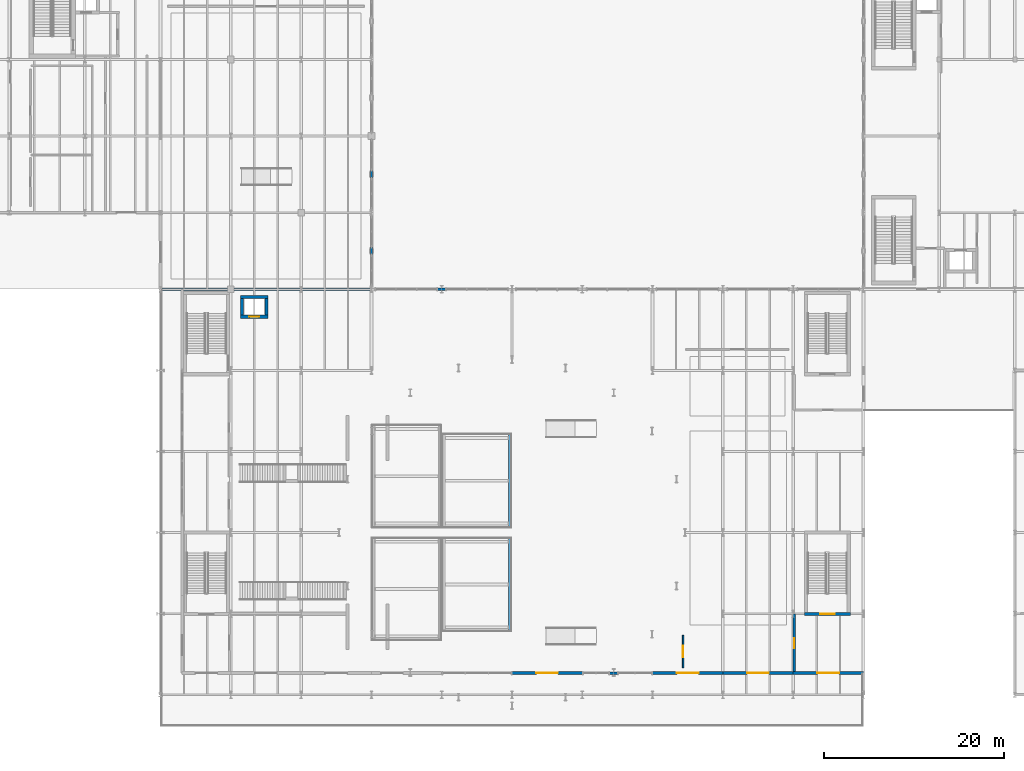
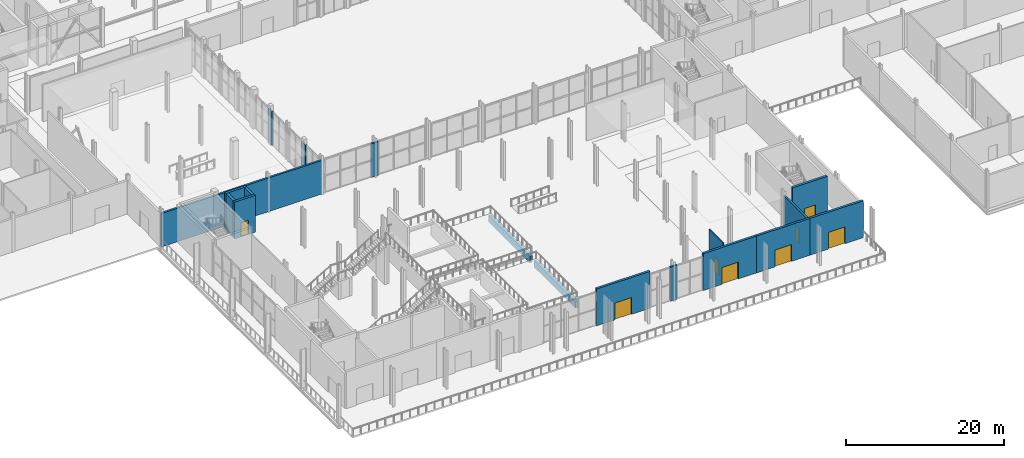
# One storey, part 56 of 84: 18 walls, 8 doors, 8 openings.
"""IFC4 building model written with IfcOpenShell, lengths in metres."""

from ifc_helpers import new_model, si_unit, direction, frame, frame_2d, origin, place, context, subcontext, project, spatial, rectangle, extrude, material, layer, layer_set, type_object, element, fill, save


model = new_model("IFC4")

# Units and contexts
model_context = context("Model", 3, precision=1e-05, world=origin(), true_north=direction((0.0, 1.0)))
body_context = subcontext(model_context, "Body", "Model", "MODEL_VIEW")
ifc_project = project(units=[si_unit("LENGTHUNIT", "METRE"), si_unit("AREAUNIT", "SQUARE_METRE"), si_unit("VOLUMEUNIT", "CUBIC_METRE"), si_unit("PLANEANGLEUNIT", "RADIAN"), si_unit("MASSUNIT", "GRAM", prefix="KILO")], contexts=[model_context])

# Site, building, storey
site_placement = place(None, origin())
site = spatial("IfcSite", under=ifc_project, at=site_placement, CompositionType="ELEMENT")
building_placement = place(site_placement, origin())
building = spatial("IfcBuilding", under=site, at=building_placement, Name="Sefraquen Railside Congress Hotel", CompositionType="ELEMENT")
storey_placement = place(building_placement, origin())
storey = spatial("IfcBuildingStorey", under=building, at=storey_placement, Name="L00", CompositionType="ELEMENT", Elevation=0.0)

# Wall, opening, door
ifc_material_1 = material(Name="Concrete C50/60", Category="concrete")
ifc_layer_1 = layer(ifc_material_1, 0.35009765625)
ifc_layer_set_1 = layer_set([ifc_layer_1], Name="Concrete C50/60")
wall_type_1 = type_object("IfcWallType", Name="TW-CW-350", PredefinedType="SHEAR", material=ifc_layer_set_1)
wall_1_placement = place(storey_placement, frame((96.64990234375, 17.985107421875, 0.0), z_axis=(0.0, 0.0, 1.0), x_axis=(1.0, 0.0, 0.0)))
wall_1 = element("IfcWall", 1, at=wall_1_placement, inside=storey, type_object=wall_type_1, Name="Core shear wall ST-C03 S L00", PredefinedType="SHEAR", context=body_context, shape_type="SweptSolid", body=[
    extrude(rectangle(XDim=5.10009765625, YDim=0.35009765625, at=frame_2d((2.550048828125, 0.0))), origin(), (0.0, 0.0, 1.0), 6.0),
])
opening_1_placement = place(wall_1_placement, frame((1.75, 0.0, 0.0)))
opening_1 = element("IfcOpeningElement", 2, at=opening_1_placement, cuts=wall_1, Name="Opening FD-02", PredefinedType="OPENING", context=body_context, shape_type="SweptSolid", body=[
    extrude(rectangle(XDim=1.60009765625, YDim=2.199951171875, at=frame_2d((0.800048828125, 1.10009765625))), frame((0.0, 0.18505859375, 0.0), z_axis=(0.0, -1.0, 0.0), x_axis=(1.0, 0.0, 0.0)), (0.0, 0.0, 1.0), 0.3701171875),
])
ifc_material_2 = material(Name="Fire-rated steel", Category="steel")
door_type_1 = type_object("IfcDoorType", Name="TD-FD-02", OperationType="NOTDEFINED", PredefinedType="DOOR", material=ifc_material_2)
door_1_placement = place(opening_1_placement, frame((1.60009765625, 0.0, 0.0), z_axis=(0.0, 0.0, 1.0), x_axis=(-1.0, 0.0, 0.0)))
door_1 = element("IfcDoor", 3, at=door_1_placement, inside=storey, type_object=door_type_1, Name="Pressurized stair ST-C03 fire door L00", OperationType="SINGLE_SWING_RIGHT", OverallHeight=2.199951171875, OverallWidth=1.60009765625, PredefinedType="DOOR", context=body_context, shape_type="SweptSolid", body=[
    extrude(rectangle(XDim=1.60009765625, YDim=2.199951171875, at=frame_2d((0.800048828125, 1.10009765625))), frame((0.0, 0.02490234375, 0.0), z_axis=(0.0, -1.0, 0.0), x_axis=(1.0, 0.0, 0.0)), (0.0, 0.0, 1.0), 0.050048828125),
])
fill(opening_1, door_1)

# Walls
for number, where, z_axis, x_axis, name in (
    (4, (64.0, 16.0, 0.0), (0.0, 0.0, 1.0), (0.0, 1.0, 0.0), "Congress seating tier 1 E support wall"),
    (5, (64.0, 27.5, 0.0), (0.0, 0.0, 1.0), (0.0, 1.0, 0.0), "Congress seating tier 2 E support wall"),
):
    element("IfcWall", number, at=place(storey_placement, frame(where, z_axis=z_axis, x_axis=x_axis)), inside=storey, type_object=wall_type_1, Name=name, PredefinedType="SHEAR", context=body_context, shape_type="SweptSolid", body=[
        extrude(rectangle(XDim=10.5, YDim=0.35009765625, at=frame_2d((5.25, 0.0))), origin(), (0.0, 0.0, 1.0), 1.0400390625),
    ])
wall_2_placement = place(storey_placement, frame((34.080078125, 53.14501953125, 0.0), z_axis=(0.0, 0.0, 1.0), x_axis=(1.0, 0.0, 0.0)))
element("IfcWall", 6, at=wall_2_placement, inside=storey, type_object=wall_type_1, Name="Lift PL-08 shaft wall N L00", PredefinedType="SHEAR", context=body_context, shape_type="SweptSolid", body=[
    extrude(rectangle(XDim=3.0400390625, YDim=0.35009765625, at=frame_2d((1.52001953125, 0.0))), origin(), (0.0, 0.0, 1.0), 5.699951171875),
])

# Wall, opening, door
wall_3_placement = place(storey_placement, frame((34.080078125, 50.955078125, 0.0), z_axis=(0.0, 0.0, 1.0), x_axis=(1.0, 0.0, 0.0)))
wall_3 = element("IfcWall", 7, at=wall_3_placement, inside=storey, type_object=wall_type_1, Name="Lift PL-08 shaft wall S L00", PredefinedType="SHEAR", context=body_context, shape_type="SweptSolid", body=[
    extrude(rectangle(XDim=3.0400390625, YDim=0.35009765625, at=frame_2d((1.52001953125, 0.0))), origin(), (0.0, 0.0, 1.0), 5.699951171875),
])
opening_2_placement = place(wall_3_placement, frame((0.969970703125, 0.0, 0.0)))
opening_2 = element("IfcOpeningElement", 8, at=opening_2_placement, cuts=wall_3, Name="Opening LD-01", PredefinedType="OPENING", context=body_context, shape_type="SweptSolid", body=[
    extrude(rectangle(XDim=1.10009765625, YDim=2.199951171875, at=frame_2d((0.550048828125, 1.10009765625))), frame((0.0, 0.18505859375, 0.0), z_axis=(0.0, -1.0, 0.0), x_axis=(1.0, 0.0, 0.0)), (0.0, 0.0, 1.0), 0.3701171875),
])
ifc_material_3 = material(Name="Brushed bronze stainless steel", Category="steel")
door_type_2 = type_object("IfcDoorType", Name="TD-LD-01", OperationType="NOTDEFINED", PredefinedType="DOOR", material=ifc_material_3)
door_2_placement = place(opening_2_placement, origin())
door_2 = element("IfcDoor", 9, at=door_2_placement, inside=storey, type_object=door_type_2, Name="Lift landing door PL-08 L00", OperationType="SLIDING_TO_LEFT", OverallHeight=2.199951171875, OverallWidth=1.10009765625, PredefinedType="DOOR", context=body_context, shape_type="SweptSolid", body=[
    extrude(rectangle(XDim=1.10009765625, YDim=2.199951171875, at=frame_2d((0.550048828125, 1.10009765625))), frame((0.0, 0.02490234375, 0.0), z_axis=(0.0, -1.0, 0.0), x_axis=(1.0, 0.0, 0.0)), (0.0, 0.0, 1.0), 0.050048828125),
])
fill(opening_2, door_2)

# Walls
for number, where, z_axis, x_axis, name in (
    (10, (34.2548828125, 51.1298828125, 0.0), (0.0, 0.0, 1.0), (0.0, 1.0, 0.0), "Lift PL-08 shaft wall W L00"),
    (11, (36.945068359375, 51.1298828125, 0.0), (0.0, 0.0, 1.0), (0.0, 1.0, 0.0), "Lift PL-08 shaft wall E L00"),
):
    element("IfcWall", number, at=place(storey_placement, frame(where, z_axis=z_axis, x_axis=x_axis)), inside=storey, type_object=wall_type_1, Name=name, PredefinedType="SHEAR", context=body_context, shape_type="SweptSolid", body=[
        extrude(rectangle(XDim=1.840087890625, YDim=0.35009765625, at=frame_2d((0.919921875, 0.0))), origin(), (0.0, 0.0, 1.0), 5.699951171875),
    ])
ifc_material_4 = material(Name="Ochre Rabat calcarenite limestone and Concrete C40/50 backing", Category="masonry")
ifc_layer_2 = layer(ifc_material_4, 0.280029296875)
ifc_layer_set_2 = layer_set([ifc_layer_2], Name="Ochre Rabat calcarenite limestone and Concrete C40/50 backing")
wall_type_2 = type_object("IfcWallType", Name="TW-EW-280", PredefinedType="STANDARD", material=ifc_layer_set_2)
wall_4_placement = place(storey_placement, frame((75.005615234375, 11.39990234375, 0.0), z_axis=(0.0, 0.0, 1.0), x_axis=(1.0, 0.0, 0.0)))
element("IfcWall", 12, at=wall_4_placement, inside=storey, type_object=wall_type_2, Name="Congress arcade curtain wall UCW-02 column pier closure 1", PredefinedType="STANDARD", context=body_context, shape_type="SweptSolid", body=[
    extrude(rectangle(XDim=0.9599609375, YDim=0.260009765625, at=frame_2d((0.47998046875, 0.0))), origin(), (0.0, 0.0, 1.0), 5.300048828125),
])
wall_5_placement = place(storey_placement, frame((55.919921875, 54.0, 0.0), z_axis=(0.0, 0.0, 1.0), x_axis=(1.0, 0.0, 0.0)))
element("IfcWall", 13, at=wall_5_placement, inside=storey, type_object=wall_type_2, Name="Congress courtyard north curtain wall L00-1 column pier closure 1", PredefinedType="STANDARD", context=body_context, shape_type="SweptSolid", body=[
    extrude(rectangle(XDim=0.9599609375, YDim=0.260009765625, at=frame_2d((0.47998046875, 0.0))), origin(), (0.0, 0.0, 1.0), 5.18994140625),
])
wall_6_placement = place(storey_placement, frame((25.199951171875, 54.0, 0.0), z_axis=(0.0, 0.0, 1.0), x_axis=(1.0, 0.0, 0.0)))
element("IfcWall", 14, at=wall_6_placement, inside=storey, type_object=wall_type_2, Name="West Foyer L00 south junction wall", PredefinedType="STANDARD", context=body_context, shape_type="SweptSolid", body=[
    extrude(rectangle(XDim=23.400146484375, YDim=0.280029296875, at=frame_2d((11.7001953125, 0.0))), origin(), (0.0, 0.0, 1.0), 5.18994140625),
])
for number, where, z_axis, x_axis, name in (
    (15, (48.60009765625, 57.77001953125, 0.0), (0.0, 0.0, 1.0), (0.0, 1.0, 0.0), "Courtyard west arcade curtain wall UCW-15 column pier closure 1"),
    (16, (48.60009765625, 66.27001953125, 0.0), (0.0, 0.0, 1.0), (0.0, 1.0, 0.0), "Courtyard west arcade curtain wall UCW-17 column pier closure 1"),
):
    element("IfcWall", number, at=place(storey_placement, frame(where, z_axis=z_axis, x_axis=x_axis)), inside=storey, type_object=wall_type_2, Name=name, PredefinedType="STANDARD", context=body_context, shape_type="SweptSolid", body=[
        extrude(rectangle(XDim=0.9599609375, YDim=0.260009765625, at=frame_2d((0.47998046875, 0.0))), origin(), (0.0, 0.0, 1.0), 5.199951171875),
    ])

# Wall, opening, door
ifc_layer_3 = layer(ifc_material_4, 0.320068359375)
ifc_layer_set_3 = layer_set([ifc_layer_3], Name="Ochre Rabat calcarenite limestone and Concrete C40/50 backing")
wall_type_3 = type_object("IfcWallType", Name="TW-EW-320", PredefinedType="STANDARD", material=ifc_layer_set_3)
wall_7_placement = place(storey_placement, frame((64.199951171875, 11.39990234375, 0.0), z_axis=(0.0, 0.0, 1.0), x_axis=(1.0, 0.0, 0.0)))
wall_7 = element("IfcWall", 17, at=wall_7_placement, inside=storey, type_object=wall_type_3, Name="Congress colonnade arched portal wall 6", PredefinedType="STANDARD", context=body_context, shape_type="SweptSolid", body=[
    extrude(rectangle(XDim=7.800048828125, YDim=0.320068359375, at=frame_2d((3.89990234375, 0.0))), origin(), (0.0, 0.0, 1.0), 5.699951171875),
])
opening_3_placement = place(wall_7_placement, frame((2.699951171875, 0.0, 0.0)))
opening_3 = element("IfcOpeningElement", 18, at=opening_3_placement, cuts=wall_7, Name="Opening ED-01", PredefinedType="OPENING", context=body_context, shape_type="SweptSolid", body=[
    extrude(rectangle(XDim=2.39990234375, YDim=2.60009765625, at=frame_2d((1.199951171875, 1.300048828125))), frame((0.0, 0.169921875, 0.0), z_axis=(0.0, -1.0, 0.0), x_axis=(1.0, 0.0, 0.0)), (0.0, 0.0, 1.0), 0.340087890625),
])
ifc_material_5 = material(Name="Bronze and fire-rated laminated glass", Category="glass")
door_type_3 = type_object("IfcDoorType", Name="TD-ED-01", OperationType="NOTDEFINED", PredefinedType="DOOR", material=ifc_material_5)
door_3_placement = place(opening_3_placement, frame((2.39990234375, 0.0, 0.0), z_axis=(0.0, 0.0, 1.0), x_axis=(-1.0, 0.0, 0.0)))
door_3 = element("IfcDoor", 19, at=door_3_placement, inside=storey, type_object=door_type_3, Name="Congress Hall south final exit door 05", OperationType="DOUBLE_SWING_LEFT", OverallHeight=2.60009765625, OverallWidth=2.39990234375, PredefinedType="DOOR", context=body_context, shape_type="SweptSolid", body=[
    extrude(rectangle(XDim=2.39990234375, YDim=2.60009765625, at=frame_2d((1.199951171875, 1.300048828125))), frame((0.0, 0.02490234375, 0.0), z_axis=(0.0, -1.0, 0.0), x_axis=(1.0, 0.0, 0.0)), (0.0, 0.0, 1.0), 0.050048828125),
])
fill(opening_3, door_3)

wall_8_placement = place(storey_placement, frame((79.800048828125, 11.39990234375, 0.0), z_axis=(0.0, 0.0, 1.0), x_axis=(1.0, 0.0, 0.0)))
wall_8 = element("IfcWall", 20, at=wall_8_placement, inside=storey, type_object=wall_type_3, Name="Congress colonnade arched portal wall 8", PredefinedType="STANDARD", context=body_context, shape_type="SweptSolid", body=[
    extrude(rectangle(XDim=7.800048828125, YDim=0.320068359375, at=frame_2d((3.89990234375, 0.0))), origin(), (0.0, 0.0, 1.0), 5.699951171875),
])
opening_4_placement = place(wall_8_placement, frame((2.699951171875, 0.0, 0.0)))
opening_4 = element("IfcOpeningElement", 21, at=opening_4_placement, cuts=wall_8, Name="Opening ED-01", PredefinedType="OPENING", context=body_context, shape_type="SweptSolid", body=[
    extrude(rectangle(XDim=2.39990234375, YDim=2.60009765625, at=frame_2d((1.199951171875, 1.300048828125))), frame((0.0, 0.169921875, 0.0), z_axis=(0.0, -1.0, 0.0), x_axis=(1.0, 0.0, 0.0)), (0.0, 0.0, 1.0), 0.340087890625),
])
door_4_placement = place(opening_4_placement, frame((2.39990234375, 0.0, 0.0), z_axis=(0.0, 0.0, 1.0), x_axis=(-1.0, 0.0, 0.0)))
door_4 = element("IfcDoor", 22, at=door_4_placement, inside=storey, type_object=door_type_3, Name="Congress Hall south final exit door 06", OperationType="DOUBLE_SWING_LEFT", OverallHeight=2.60009765625, OverallWidth=2.39990234375, PredefinedType="DOOR", context=body_context, shape_type="SweptSolid", body=[
    extrude(rectangle(XDim=2.39990234375, YDim=2.60009765625, at=frame_2d((1.199951171875, 1.300048828125))), frame((0.0, 0.02490234375, 0.0), z_axis=(0.0, -1.0, 0.0), x_axis=(1.0, 0.0, 0.0)), (0.0, 0.0, 1.0), 0.050048828125),
])
fill(opening_4, door_4)

wall_9_placement = place(storey_placement, frame((87.60009765625, 11.39990234375, 0.0), z_axis=(0.0, 0.0, 1.0), x_axis=(1.0, 0.0, 0.0)))
wall_9 = element("IfcWall", 23, at=wall_9_placement, inside=storey, type_object=wall_type_3, Name="Congress colonnade arched portal wall 9", PredefinedType="STANDARD", context=body_context, shape_type="SweptSolid", body=[
    extrude(rectangle(XDim=7.7998046875, YDim=0.320068359375, at=frame_2d((3.89990234375, 0.0))), origin(), (0.0, 0.0, 1.0), 5.699951171875),
])
opening_5_placement = place(wall_9_placement, frame((2.699951171875, 0.0, 0.0)))
opening_5 = element("IfcOpeningElement", 24, at=opening_5_placement, cuts=wall_9, Name="Opening ED-01", PredefinedType="OPENING", context=body_context, shape_type="SweptSolid", body=[
    extrude(rectangle(XDim=2.39990234375, YDim=2.60009765625, at=frame_2d((1.199951171875, 1.300048828125))), frame((0.0, 0.169921875, 0.0), z_axis=(0.0, -1.0, 0.0), x_axis=(1.0, 0.0, 0.0)), (0.0, 0.0, 1.0), 0.340087890625),
])
door_5_placement = place(opening_5_placement, frame((2.39990234375, 0.0, 0.0), z_axis=(0.0, 0.0, 1.0), x_axis=(-1.0, 0.0, 0.0)))
door_5 = element("IfcDoor", 25, at=door_5_placement, inside=storey, type_object=door_type_3, Name="Congress Hall south final exit door 07", OperationType="DOUBLE_SWING_LEFT", OverallHeight=2.60009765625, OverallWidth=2.39990234375, PredefinedType="DOOR", context=body_context, shape_type="SweptSolid", body=[
    extrude(rectangle(XDim=2.39990234375, YDim=2.60009765625, at=frame_2d((1.199951171875, 1.300048828125))), frame((0.0, 0.02490234375, 0.0), z_axis=(0.0, -1.0, 0.0), x_axis=(1.0, 0.0, 0.0)), (0.0, 0.0, 1.0), 0.050048828125),
])
fill(opening_5, door_5)

wall_10_placement = place(storey_placement, frame((95.39990234375, 11.39990234375, 0.0), z_axis=(0.0, 0.0, 1.0), x_axis=(1.0, 0.0, 0.0)))
wall_10 = element("IfcWall", 26, at=wall_10_placement, inside=storey, type_object=wall_type_3, Name="Congress colonnade arched portal wall 10", PredefinedType="STANDARD", context=body_context, shape_type="SweptSolid", body=[
    extrude(rectangle(XDim=7.800048828125, YDim=0.320068359375, at=frame_2d((3.89990234375, 0.0))), origin(), (0.0, 0.0, 1.0), 5.699951171875),
])
opening_6_placement = place(wall_10_placement, frame((2.699951171875, 0.0, 0.0)))
opening_6 = element("IfcOpeningElement", 27, at=opening_6_placement, cuts=wall_10, Name="Opening ED-01", PredefinedType="OPENING", context=body_context, shape_type="SweptSolid", body=[
    extrude(rectangle(XDim=2.39990234375, YDim=2.60009765625, at=frame_2d((1.199951171875, 1.300048828125))), frame((0.0, 0.169921875, 0.0), z_axis=(0.0, -1.0, 0.0), x_axis=(1.0, 0.0, 0.0)), (0.0, 0.0, 1.0), 0.340087890625),
])
door_6_placement = place(opening_6_placement, frame((2.39990234375, 0.0, 0.0), z_axis=(0.0, 0.0, 1.0), x_axis=(-1.0, 0.0, 0.0)))
door_6 = element("IfcDoor", 28, at=door_6_placement, inside=storey, type_object=door_type_3, Name="Congress Hall south final exit door 08", OperationType="DOUBLE_SWING_LEFT", OverallHeight=2.60009765625, OverallWidth=2.39990234375, PredefinedType="DOOR", context=body_context, shape_type="SweptSolid", body=[
    extrude(rectangle(XDim=2.39990234375, YDim=2.60009765625, at=frame_2d((1.199951171875, 1.300048828125))), frame((0.0, 0.02490234375, 0.0), z_axis=(0.0, -1.0, 0.0), x_axis=(1.0, 0.0, 0.0)), (0.0, 0.0, 1.0), 0.050048828125),
])
fill(opening_6, door_6)

ifc_material_6 = material(Name="Concrete C40/50", Category="concrete")
ifc_layer_4 = layer(ifc_material_6, 0.239990234375)
ifc_layer_set_4 = layer_set([ifc_layer_4], Name="Concrete C40/50")
wall_type_4 = type_object("IfcWallType", Name="TW-FW-240", PredefinedType="STANDARD", material=ifc_layer_set_4)
wall_11_placement = place(storey_placement, frame((95.52001953125, 11.580078125, 0.0), z_axis=(0.0, 0.0, 1.0), x_axis=(0.0, 1.0, 0.0)))
wall_11 = element("IfcWall", 29, at=wall_11_placement, inside=storey, type_object=wall_type_4, Name="Congress SE stair discharge EI 120 fire wall", PredefinedType="STANDARD", context=body_context, shape_type="SweptSolid", body=[
    extrude(rectangle(XDim=6.369873046875, YDim=0.239990234375, at=frame_2d((3.18505859375, 0.0))), origin(), (0.0, 0.0, 1.0), 5.199951171875),
])
opening_7_placement = place(wall_11_placement, frame((2.60009765625, 0.0, 0.0)))
opening_7 = element("IfcOpeningElement", 30, at=opening_7_placement, cuts=wall_11, Name="Opening FD-04", PredefinedType="OPENING", context=body_context, shape_type="SweptSolid", body=[
    extrude(rectangle(XDim=1.10009765625, YDim=2.199951171875, at=frame_2d((0.550048828125, 1.10009765625))), frame((0.0, 0.1298828125, 0.0), z_axis=(0.0, -1.0, 0.0), x_axis=(1.0, 0.0, 0.0)), (0.0, 0.0, 1.0), 0.260009765625),
])
door_type_4 = type_object("IfcDoorType", Name="TD-FD-04", OperationType="NOTDEFINED", PredefinedType="DOOR", material=ifc_material_2)
door_7_placement = place(opening_7_placement, origin())
door_7 = element("IfcDoor", 31, at=door_7_placement, inside=storey, type_object=door_type_4, Name="Congress SE stair discharge EI 120 fire wall self-closing fire door", OperationType="SINGLE_SWING_LEFT", OverallHeight=2.199951171875, OverallWidth=1.10009765625, PredefinedType="DOOR", context=body_context, shape_type="SweptSolid", body=[
    extrude(rectangle(XDim=1.10009765625, YDim=2.199951171875, at=frame_2d((0.550048828125, 1.10009765625))), frame((0.0, 0.02490234375, 0.0), z_axis=(0.0, -1.0, 0.0), x_axis=(1.0, 0.0, 0.0)), (0.0, 0.0, 1.0), 0.050048828125),
])
fill(opening_7, door_7)

ifc_material_7 = material(Name="Moisture-resistant gypsum board", Category="gypsum")
ifc_layer_5 = layer(ifc_material_7, 0.159912109375)
ifc_layer_set_5 = layer_set([ifc_layer_5], Name="Moisture-resistant gypsum board")
wall_type_5 = type_object("IfcWallType", Name="TW-PW-160", PredefinedType="PARTITIONING", material=ifc_layer_set_5)
wall_12_placement = place(storey_placement, frame((83.199951171875, 12.0, 0.0), z_axis=(0.0, 0.0, 1.0), x_axis=(0.0, 1.0, 0.0)))
wall_12 = element("IfcWall", 32, at=wall_12_placement, inside=storey, type_object=wall_type_5, Name="VIP Speaker Suite 02 enclosure wall", PredefinedType="PARTITIONING", context=body_context, shape_type="SweptSolid", body=[
    extrude(rectangle(XDim=3.60009765625, YDim=0.159912109375, at=frame_2d((1.800048828125, 0.0))), origin(), (0.0, 0.0, 1.0), 5.699951171875),
])
opening_8_placement = place(wall_12_placement, frame((1.14990234375, 0.0, 0.0)))
opening_8 = element("IfcOpeningElement", 33, at=opening_8_placement, cuts=wall_12, Name="Opening MD-02", PredefinedType="OPENING", context=body_context, shape_type="SweptSolid", body=[
    extrude(rectangle(XDim=1.300048828125, YDim=2.199951171875, at=frame_2d((0.64990234375, 1.10009765625))), frame((0.0, 0.08984375, 0.0), z_axis=(0.0, -1.0, 0.0), x_axis=(1.0, 0.0, 0.0)), (0.0, 0.0, 1.0), 0.179931640625),
])
ifc_material_8 = material(Name="Acoustic cedar veneer", Category="wood")
door_type_5 = type_object("IfcDoorType", Name="TD-MD-02", OperationType="NOTDEFINED", PredefinedType="DOOR", material=ifc_material_8)
door_8_placement = place(opening_8_placement, origin())
door_8 = element("IfcDoor", 34, at=door_8_placement, inside=storey, type_object=door_type_5, Name="VIP Speaker Suite 02 entrance door", OperationType="SINGLE_SWING_RIGHT", OverallHeight=2.199951171875, OverallWidth=1.300048828125, PredefinedType="DOOR", context=body_context, shape_type="SweptSolid", body=[
    extrude(rectangle(XDim=1.300048828125, YDim=2.199951171875, at=frame_2d((0.64990234375, 1.10009765625))), frame((0.0, 0.02490234375, 0.0), z_axis=(0.0, -1.0, 0.0), x_axis=(1.0, 0.0, 0.0)), (0.0, 0.0, 1.0), 0.050048828125),
])
fill(opening_8, door_8)

save(model, "model.ifc")
